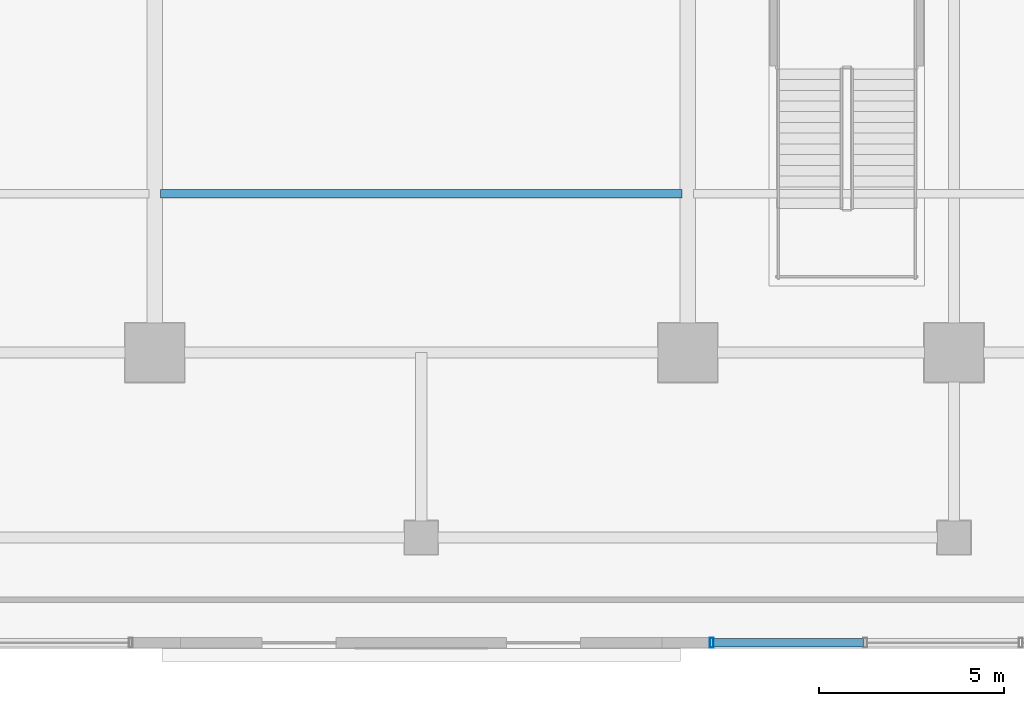
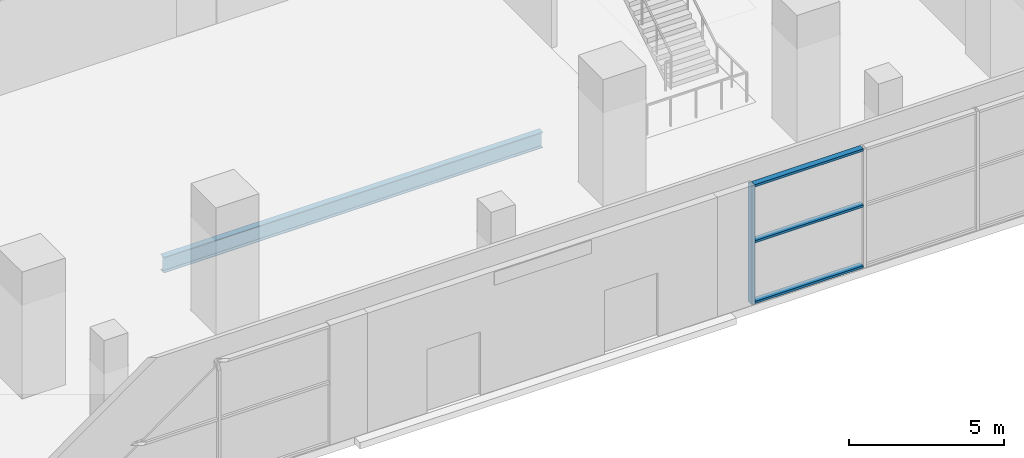
# One storey, part 5 of 27: 4 members, 1 beam, 1 element without a shape of its own.
"""IFC4 building model written with IfcOpenShell, lengths in metres."""

from ifc_helpers import new_model, si_unit, direction, frame, origin, origin_2d, place, context, subcontext, project, spatial, hollow_rectangle, i_section, extrude, source, transform, mapped, material, layer, layer_set, material_profile, profile_set, type_object, element, aggregate, save


model = new_model("IFC4")

# Units and contexts
model_context = context("Model", 3, precision=1e-05, world=origin(), true_north=direction((0.0, 1.0)))
body_context = subcontext(model_context, "Body", "Model", "MODEL_VIEW")
ifc_project = project(units=[si_unit("LENGTHUNIT", "METRE"), si_unit("AREAUNIT", "SQUARE_METRE"), si_unit("VOLUMEUNIT", "CUBIC_METRE"), si_unit("PLANEANGLEUNIT", "RADIAN"), si_unit("MASSUNIT", "GRAM", prefix="KILO")], contexts=[model_context])

# Site, building, storey
site_placement = place(None, origin())
site = spatial("IfcSite", under=ifc_project, at=site_placement, CompositionType="ELEMENT")
building_placement = place(site_placement, origin())
building = spatial("IfcBuilding", under=site, at=building_placement, Name="Zarnakvel Exchange Tower", CompositionType="ELEMENT")
storey_placement = place(building_placement, origin())
storey = spatial("IfcBuildingStorey", under=building, at=storey_placement, Name="L00", CompositionType="ELEMENT", Elevation=0.0)

# Beam
ifc_material_1 = material(Name="Steel S355", Category="steel")
ifc_material_profile_1 = material_profile(ifc_material_1, i_section(OverallWidth=0.230224609375, OverallDepth=0.6171875, WebThickness=0.01318359375, FlangeThickness=0.022216796875, FilletRadius=0.0126953125, at=origin_2d()))
ifc_profile_set_1 = profile_set([ifc_material_profile_1], Name="Steel S355")
beam_type = type_object("IfcBeamType", Name="B-02", PredefinedType="JOIST", material=ifc_profile_set_1)
beam_placement = place(storey_placement, frame((-7.044921875, -13.89990234375, -0.608642578125), z_axis=(1.0, 0.0, 0.0), x_axis=(0.0, 1.0, 0.0)))
element("IfcBeam", 1, at=beam_placement, inside=storey, type_object=beam_type, Name="L00 Secondary Floor Joist", PredefinedType="JOIST", context=body_context, shape_type="SweptSolid", body=[
    extrude(i_section(OverallWidth=0.230224609375, OverallDepth=0.6171875, WebThickness=0.01318359375, FlangeThickness=0.022216796875, FilletRadius=0.0126953125, at=origin_2d()), origin(), (0.0, 0.0, 1.0), 14.08984375),
])

# Curtain wall, members
ifc_material_2 = material(Name="Architectural Bronze Anodised Aluminium", Category="aluminium")
ifc_layer = layer(ifc_material_2, 0.260009765625)
ifc_layer_set = layer_set([ifc_layer], Name="Architectural Bronze Anodised Aluminium")
curtain_wall_type = type_object("IfcCurtainWallType", Name="CW-01", PredefinedType="NOTDEFINED", material=ifc_layer_set)
curtain_wall_placement = place(storey_placement, origin())
curtain_wall = element("IfcCurtainWall", 2, at=curtain_wall_placement, inside=storey, type_object=curtain_wall_type, Name="L00 Curtain Wall CW-L00-S2 (CW-01)", PredefinedType="NOTDEFINED")
ifc_material_profile_2 = material_profile(ifc_material_2, hollow_rectangle(XDim=0.260009765625, YDim=0.10009765625, WallThickness=0.006103515625, at=origin_2d()))
ifc_profile_set_2 = profile_set([ifc_material_profile_2], Name="Architectural Bronze Anodised Aluminium")
member_type_1 = type_object("IfcMemberType", Name="CWM-01", PredefinedType="MULLION", material=ifc_profile_set_2)
shared_shape_1 = source(origin(), body_context, "Body", "SweptSolid", [
    extrude(hollow_rectangle(XDim=0.260009765625, YDim=0.10009765625, WallThickness=0.006103515625, at=origin_2d()), origin(), (0.0, 0.0, 1.0), 4.679931640625),
])
member_1_placement = place(storey_placement, frame((7.85009765625, -26.0400390625, 0.0), z_axis=(0.0, 0.0, 1.0), x_axis=(0.0, 1.0, 0.0)))
member_1 = element("IfcMember", 3, at=member_1_placement, type_object=member_type_1, Name="CW-01 mullion 1", PredefinedType="MULLION", context=body_context, shape_type="MappedRepresentation", body=[
    mapped(shared_shape_1, transform((0.0, 0.0, 0.0), x_axis=(1.0, 0.0, 0.0), y_axis=(0.0, 1.0, 0.0), z_axis=(0.0, 0.0, 1.0), scale=1.0)),
])
ifc_material_profile_3 = material_profile(ifc_material_2, hollow_rectangle(XDim=0.219970703125, YDim=0.090087890625, WallThickness=0.0048828125, at=origin_2d()))
ifc_profile_set_3 = profile_set([ifc_material_profile_3], Name="Architectural Bronze Anodised Aluminium")
member_type_2 = type_object("IfcMemberType", Name="CWT-01", PredefinedType="USERDEFINED", material=ifc_profile_set_3)
shared_shape_2 = source(origin(), body_context, "Body", "SweptSolid", [
    extrude(hollow_rectangle(XDim=0.219970703125, YDim=0.090087890625, WallThickness=0.0048828125, at=origin_2d()), origin(), (0.0, 0.0, 1.0), 4.050048828125),
])
member_2_placement = place(storey_placement, frame((7.89990234375, -26.0400390625, 0.044921875), z_axis=(1.0, 0.0, 0.0), x_axis=(0.0, 1.0, 0.0)))
member_2 = element("IfcMember", 4, at=member_2_placement, type_object=member_type_2, Name="CW-01 transom 1.1", ObjectType="TRANSOM", PredefinedType="USERDEFINED", context=body_context, shape_type="MappedRepresentation", body=[
    mapped(shared_shape_2, transform((0.0, 0.0, 0.0), x_axis=(1.0, 0.0, 0.0), y_axis=(0.0, 1.0, 0.0), z_axis=(0.0, 0.0, 1.0), scale=1.0)),
])
member_3_placement = place(storey_placement, frame((7.89990234375, -26.0400390625, 2.43359375), z_axis=(1.0, 0.0, 0.0), x_axis=(0.0, 1.0, 0.0)))
member_3 = element("IfcMember", 5, at=member_3_placement, type_object=member_type_2, Name="CW-01 transom 1.2", ObjectType="TRANSOM", PredefinedType="USERDEFINED", context=body_context, shape_type="MappedRepresentation", body=[
    mapped(shared_shape_2, transform((0.0, 0.0, 0.0), x_axis=(1.0, 0.0, 0.0), y_axis=(0.0, 1.0, 0.0), z_axis=(0.0, 0.0, 1.0), scale=1.0)),
])
member_4_placement = place(storey_placement, frame((7.89990234375, -26.0400390625, 4.635009765625), z_axis=(1.0, 0.0, 0.0), x_axis=(0.0, 1.0, 0.0)))
member_4 = element("IfcMember", 6, at=member_4_placement, type_object=member_type_2, Name="CW-01 transom 1.3", ObjectType="TRANSOM", PredefinedType="USERDEFINED", context=body_context, shape_type="MappedRepresentation", body=[
    mapped(shared_shape_2, transform((0.0, 0.0, 0.0), x_axis=(1.0, 0.0, 0.0), y_axis=(0.0, 1.0, 0.0), z_axis=(0.0, 0.0, 1.0), scale=1.0)),
])
aggregate(curtain_wall, [member_1, member_2, member_3, member_4])

save(model, "model.ifc")
